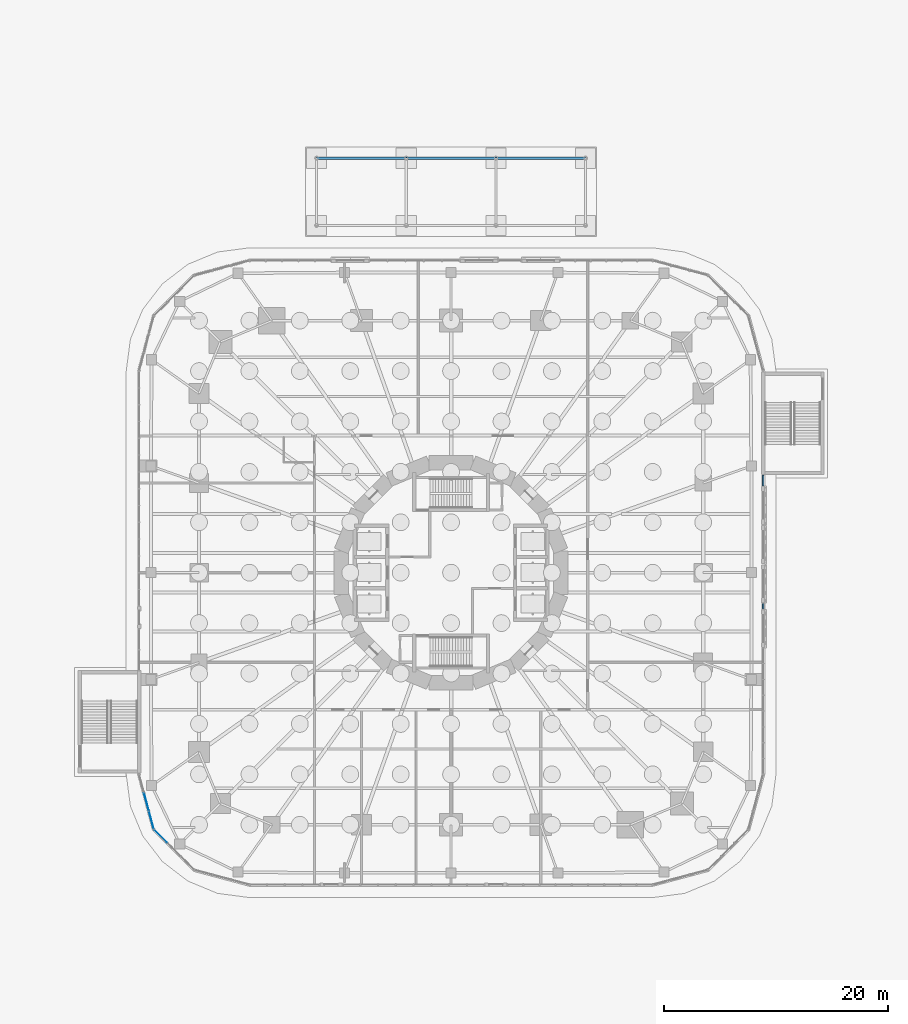
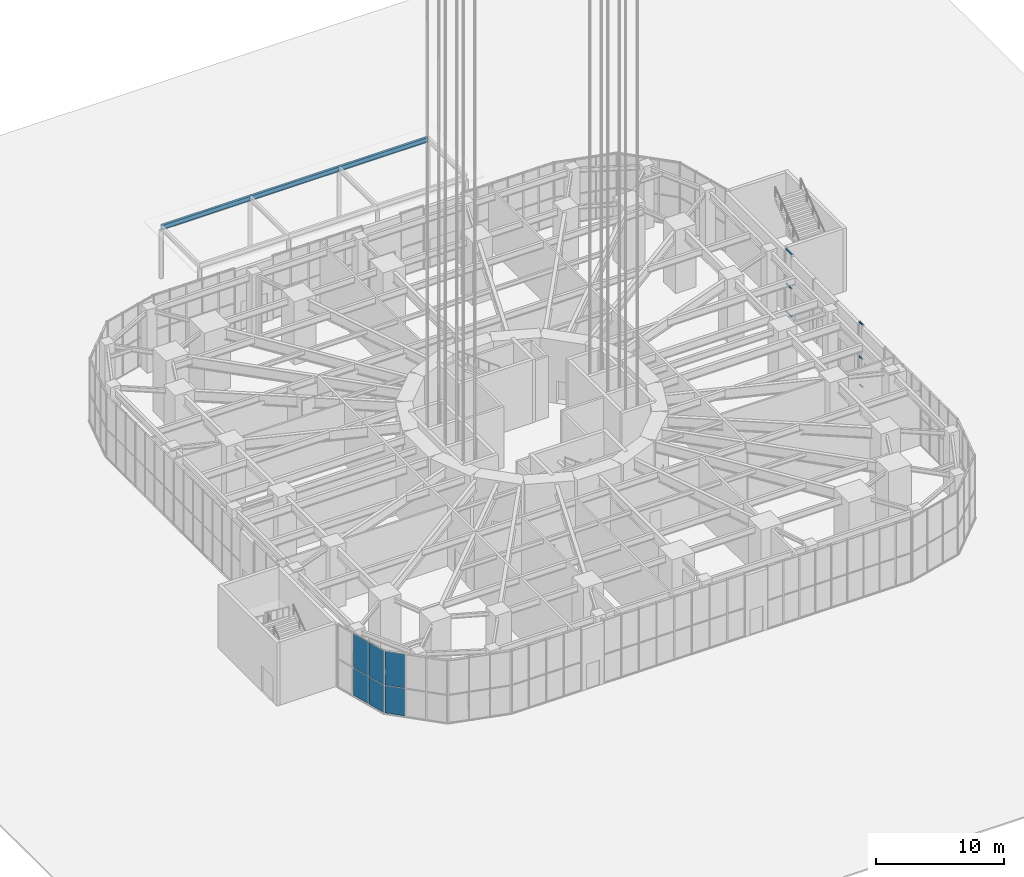
# One storey, part 19 of 43: 6 members, 6 plates, 3 beams, 4 elements without a shape of their own.
"""IFC4 building model written with IfcOpenShell, lengths in metres."""

from ifc_helpers import new_model, si_unit, direction, frame, origin, origin_2d, place, context, subcontext, project, spatial, rectangle, i_section, extrude, material, layer, layer_set, material_profile, profile_set, type_object, element, aggregate, save


model = new_model("IFC4")

# Units and contexts
model_context = context("Model", 3, precision=1e-05, world=origin(), true_north=direction((0.0, 1.0)))
body_context = subcontext(model_context, "Body", "Model", "MODEL_VIEW")
ifc_project = project(units=[si_unit("LENGTHUNIT", "METRE"), si_unit("AREAUNIT", "SQUARE_METRE"), si_unit("VOLUMEUNIT", "CUBIC_METRE"), si_unit("PLANEANGLEUNIT", "RADIAN"), si_unit("MASSUNIT", "GRAM", prefix="KILO")], contexts=[model_context])

# Site, building, storey
site_placement = place(None, origin())
site = spatial("IfcSite", under=ifc_project, at=site_placement, CompositionType="ELEMENT")
building_placement = place(site_placement, origin())
building = spatial("IfcBuilding", under=site, at=building_placement, Name="Nakasero Lantern House", CompositionType="ELEMENT")
storey_placement = place(building_placement, origin())
storey = spatial("IfcBuildingStorey", under=building, at=storey_placement, Name="L00", CompositionType="ELEMENT", Elevation=0.0)

# Beams
ifc_material_1 = material(Name="Steel S355", Category="steel")
ifc_material_profile_1 = material_profile(ifc_material_1, i_section(OverallWidth=0.18994140625, OverallDepth=0.453369140625, WebThickness=0.008544921875, FlangeThickness=0.0126953125, FilletRadius=0.01025390625, at=origin_2d()), Name="UB 457x191x67")
ifc_profile_set_1 = profile_set([ifc_material_profile_1], Name="Steel S355")
beam_type = type_object("IfcBeamType", Name="Canopy beam UB 457x191x67", PredefinedType="BEAM", material=ifc_profile_set_1)
for number, where, z_axis, x_axis, name in (
    (1, (-12.0, 37.0, 4.773193359375), (1.0, 0.0, 0.0), (0.0, 1.0, 0.0), "Canopy edge beam 2.1"),
    (2, (-4.0, 37.0, 4.773193359375), (1.0, 0.0, 0.0), (0.0, 1.0, 0.0), "Canopy edge beam 2.2"),
    (3, (4.0, 37.0, 4.773193359375), (1.0, 0.0, 0.0), (0.0, 1.0, 0.0), "Canopy edge beam 2.3"),
):
    element("IfcBeam", number, at=place(storey_placement, frame(where, z_axis=z_axis, x_axis=x_axis)), inside=storey, type_object=beam_type, Name=name, PredefinedType="BEAM", context=body_context, shape_type="SweptSolid", body=[
        extrude(i_section(OverallWidth=0.18994140625, OverallDepth=0.453369140625, WebThickness=0.008544921875, FlangeThickness=0.0126953125, FilletRadius=0.01025390625, at=origin_2d()), origin(), (0.0, 0.0, 1.0), 8.0),
    ])

# Curtain wall, members
ifc_material_2 = material(Name="Aluminium 6063-T6 and glass", Category="aluminium")
curtain_wall_type = type_object("IfcCurtainWallType", Name="Podium shopfront glazing CW-1", PredefinedType="USERDEFINED", material=ifc_material_2)
curtain_wall_1_placement = place(storey_placement, origin())
curtain_wall_1 = element("IfcCurtainWall", 4, at=curtain_wall_1_placement, inside=storey, type_object=curtain_wall_type, Name="Curtain wall CW-1 L00", ObjectType="STICK CURTAIN WALL", PredefinedType="USERDEFINED")
ifc_material_3 = material(Name="Aluminium 6063-T6", Category="aluminium")
ifc_material_profile_2 = material_profile(ifc_material_3, rectangle(XDim=0.06005859375, YDim=0.1201171875, at=origin_2d()), Name="CW-1 transom 60x120")
ifc_profile_set_2 = profile_set([ifc_material_profile_2], Name="Aluminium 6063-T6")
member_type = type_object("IfcMemberType", Name="Transom CW-1", PredefinedType="USERDEFINED", material=ifc_profile_set_2)
member_1_placement = place(storey_placement, frame((27.85009765625, -3.239990234375, 0.030029296875), z_axis=(0.0, 1.0, 0.0), x_axis=(0.0, 0.0, 1.0)))
member_1 = element("IfcMember", 5, at=member_1_placement, type_object=member_type, Name="CW-1 transom 1.1", ObjectType="TRANSOM", PredefinedType="USERDEFINED", context=body_context, shape_type="SweptSolid", body=[
    extrude(rectangle(XDim=0.06005859375, YDim=0.1201171875, at=origin_2d()), origin(), (0.0, 0.0, 1.0), 0.47998046875),
])
member_2_placement = place(storey_placement, frame((27.85009765625, -3.239990234375, 2.699951171875), z_axis=(0.0, 1.0, 0.0), x_axis=(0.0, 0.0, 1.0)))
member_2 = element("IfcMember", 6, at=member_2_placement, type_object=member_type, Name="CW-1 transom 1.2", ObjectType="TRANSOM", PredefinedType="USERDEFINED", context=body_context, shape_type="SweptSolid", body=[
    extrude(rectangle(XDim=0.06005859375, YDim=0.1201171875, at=origin_2d()), origin(), (0.0, 0.0, 1.0), 0.47998046875),
])
member_3_placement = place(storey_placement, frame((27.85009765625, -3.239990234375, 5.969970703125), z_axis=(0.0, 1.0, 0.0), x_axis=(0.0, 0.0, 1.0)))
member_3 = element("IfcMember", 7, at=member_3_placement, type_object=member_type, Name="CW-1 transom 1.3", ObjectType="TRANSOM", PredefinedType="USERDEFINED", context=body_context, shape_type="SweptSolid", body=[
    extrude(rectangle(XDim=0.06005859375, YDim=0.1201171875, at=origin_2d()), origin(), (0.0, 0.0, 1.0), 0.47998046875),
])
aggregate(curtain_wall_1, [member_1, member_2, member_3])

curtain_wall_2_placement = place(storey_placement, origin())
curtain_wall_2 = element("IfcCurtainWall", 8, at=curtain_wall_2_placement, inside=storey, type_object=curtain_wall_type, Name="Curtain wall CW-1 L00", ObjectType="STICK CURTAIN WALL", PredefinedType="USERDEFINED")
member_4_placement = place(storey_placement, frame((27.85009765625, 7.760009765625, 0.030029296875), z_axis=(0.0, 1.0, 0.0), x_axis=(0.0, 0.0, 1.0)))
member_4 = element("IfcMember", 9, at=member_4_placement, type_object=member_type, Name="CW-1 transom 1.1", ObjectType="TRANSOM", PredefinedType="USERDEFINED", context=body_context, shape_type="SweptSolid", body=[
    extrude(rectangle(XDim=0.06005859375, YDim=0.1201171875, at=origin_2d()), origin(), (0.0, 0.0, 1.0), 0.929931640625),
])
member_5_placement = place(storey_placement, frame((27.85009765625, 7.760009765625, 2.699951171875), z_axis=(0.0, 1.0, 0.0), x_axis=(0.0, 0.0, 1.0)))
member_5 = element("IfcMember", 10, at=member_5_placement, type_object=member_type, Name="CW-1 transom 1.2", ObjectType="TRANSOM", PredefinedType="USERDEFINED", context=body_context, shape_type="SweptSolid", body=[
    extrude(rectangle(XDim=0.06005859375, YDim=0.1201171875, at=origin_2d()), origin(), (0.0, 0.0, 1.0), 0.929931640625),
])
member_6_placement = place(storey_placement, frame((27.85009765625, 7.760009765625, 5.969970703125), z_axis=(0.0, 1.0, 0.0), x_axis=(0.0, 0.0, 1.0)))
member_6 = element("IfcMember", 11, at=member_6_placement, type_object=member_type, Name="CW-1 transom 1.3", ObjectType="TRANSOM", PredefinedType="USERDEFINED", context=body_context, shape_type="SweptSolid", body=[
    extrude(rectangle(XDim=0.06005859375, YDim=0.1201171875, at=origin_2d()), origin(), (0.0, 0.0, 1.0), 0.929931640625),
])
aggregate(curtain_wall_2, [member_4, member_5, member_6])

# Curtain wall, plates
curtain_wall_3_placement = place(storey_placement, origin())
curtain_wall_3 = element("IfcCurtainWall", 12, at=curtain_wall_3_placement, inside=storey, type_object=curtain_wall_type, Name="Curtain wall CW-1 L00", ObjectType="STICK CURTAIN WALL", PredefinedType="USERDEFINED")
ifc_material_4 = material(Name="Glass", Category="glass")
ifc_layer = layer(ifc_material_4, 0.028076171875)
ifc_layer_set = layer_set([ifc_layer], Name="Glazed panel CW-1")
plate_type = type_object("IfcPlateType", Name="Glazed panel CW-1", PredefinedType="CURTAIN_PANEL", material=ifc_layer_set)
plate_1_placement = place(storey_placement, frame((-27.190185546875, -20.46240234375, 0.06005859375), z_axis=(0.0, 0.0, 1.0), x_axis=(0.258819045153, -0.965925826276, 0.0)))
plate_1 = element("IfcPlate", 13, at=plate_1_placement, type_object=plate_type, Name="CW-1 panel 2.1", PredefinedType="CURTAIN_PANEL", context=body_context, shape_type="SweptSolid", body=[
    extrude(rectangle(XDim=1.6396484375, YDim=0.028076171875, at=origin_2d()), origin(), (0.0, 0.0, 1.0), 2.610107421875),
])
plate_2_placement = place(storey_placement, frame((-27.190185546875, -20.46240234375, 2.72998046875), z_axis=(0.0, 0.0, 1.0), x_axis=(0.258819045153, -0.965925826276, 0.0)))
plate_2 = element("IfcPlate", 14, at=plate_2_placement, type_object=plate_type, Name="CW-1 panel 2.2", PredefinedType="CURTAIN_PANEL", context=body_context, shape_type="SweptSolid", body=[
    extrude(rectangle(XDim=1.6396484375, YDim=0.028076171875, at=origin_2d()), origin(), (0.0, 0.0, 1.0), 3.2099609375),
])
plate_3_placement = place(storey_placement, frame((-26.754150390625, -22.089599609375, 0.06005859375), z_axis=(0.0, 0.0, 1.0), x_axis=(0.258819045153, -0.965925826276, 0.0)))
plate_3 = element("IfcPlate", 15, at=plate_3_placement, type_object=plate_type, Name="CW-1 panel 3.1", PredefinedType="CURTAIN_PANEL", context=body_context, shape_type="SweptSolid", body=[
    extrude(rectangle(XDim=1.609619140625, YDim=0.028076171875, at=origin_2d()), origin(), (0.0, 0.0, 1.0), 2.610107421875),
])
plate_4_placement = place(storey_placement, frame((-26.754150390625, -22.089599609375, 2.72998046875), z_axis=(0.0, 0.0, 1.0), x_axis=(0.258819045153, -0.965925826276, 0.0)))
plate_4 = element("IfcPlate", 16, at=plate_4_placement, type_object=plate_type, Name="CW-1 panel 3.2", PredefinedType="CURTAIN_PANEL", context=body_context, shape_type="SweptSolid", body=[
    extrude(rectangle(XDim=1.609619140625, YDim=0.028076171875, at=origin_2d()), origin(), (0.0, 0.0, 1.0), 3.2099609375),
])
aggregate(curtain_wall_3, [plate_1, plate_2, plate_3, plate_4])

curtain_wall_4_placement = place(storey_placement, origin())
curtain_wall_4 = element("IfcCurtainWall", 17, at=curtain_wall_4_placement, inside=storey, type_object=curtain_wall_type, Name="Curtain wall CW-1 L00", ObjectType="STICK CURTAIN WALL", PredefinedType="USERDEFINED")
plate_5_placement = place(storey_placement, frame((-25.9189453125, -23.536376953125, 0.06005859375), z_axis=(0.0, 0.0, 1.0), x_axis=(0.707106781187, -0.707106781187, 0.0)))
plate_5 = element("IfcPlate", 18, at=plate_5_placement, type_object=plate_type, Name="CW-1 panel 1.1", PredefinedType="CURTAIN_PANEL", context=body_context, shape_type="SweptSolid", body=[
    extrude(rectangle(XDim=1.609619140625, YDim=0.028076171875, at=origin_2d()), origin(), (0.0, 0.0, 1.0), 2.610107421875),
])
plate_6_placement = place(storey_placement, frame((-25.9189453125, -23.536376953125, 2.72998046875), z_axis=(0.0, 0.0, 1.0), x_axis=(0.707106781187, -0.707106781187, 0.0)))
plate_6 = element("IfcPlate", 19, at=plate_6_placement, type_object=plate_type, Name="CW-1 panel 1.2", PredefinedType="CURTAIN_PANEL", context=body_context, shape_type="SweptSolid", body=[
    extrude(rectangle(XDim=1.609619140625, YDim=0.028076171875, at=origin_2d()), origin(), (0.0, 0.0, 1.0), 3.2099609375),
])
aggregate(curtain_wall_4, [plate_5, plate_6])

save(model, "model.ifc")
